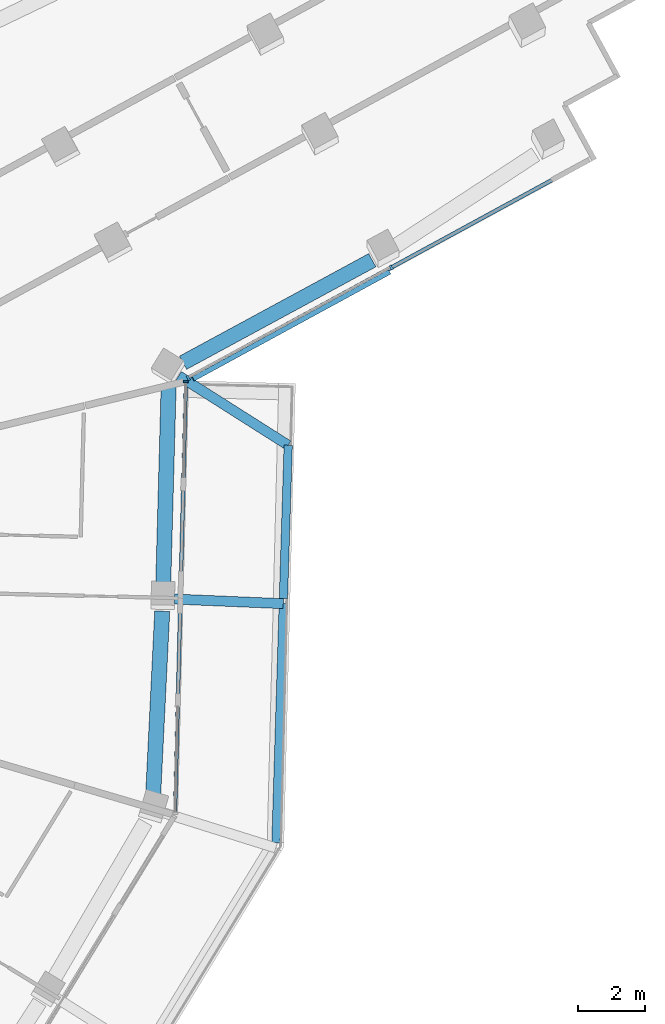
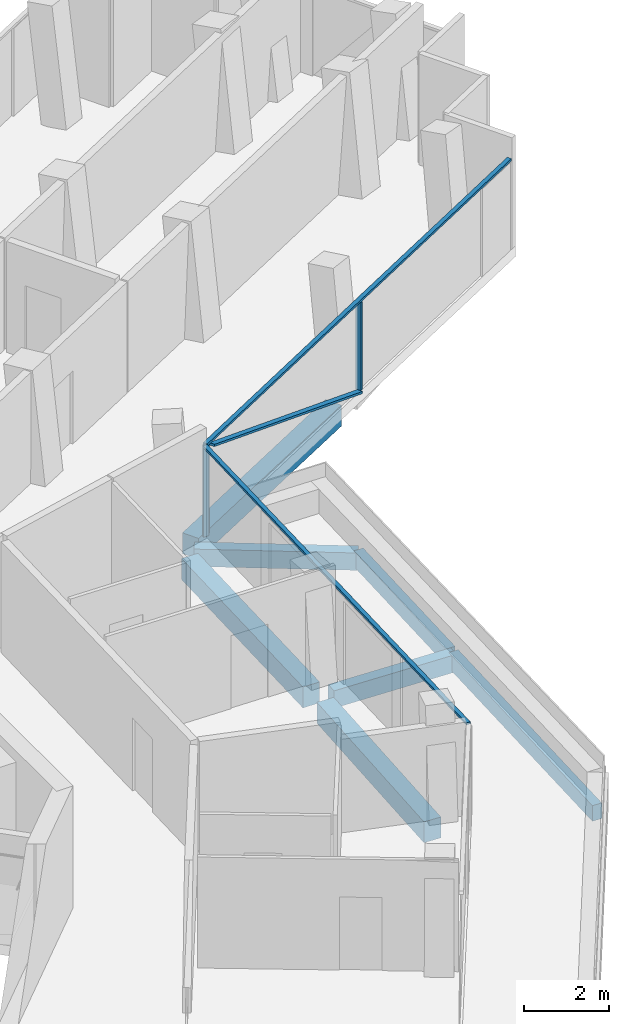
# One storey, part 7 of 24: 7 beams, 6 members, 2 elements without a shape of their own.
"""IFC4 building model written with IfcOpenShell, lengths in metres."""

import ifcopenshell
import ifcopenshell.guid

model = None  # the IFC model being written
_history = None  # IfcOwnerHistory: only IFC2X3 demands one
_inside = {}  # id of a spatial element -> (the spatial element, [elements in it])
_under = {}  # id of a project, library or spatial element -> (it, [spatial elements below it])
_declared = {}  # id of a project -> (the project, [libraries it declares])
_typed = {}  # id of a type object -> (the type object, [elements of that type])
_made_of = {}  # id of a material, layer set ... -> (it, [elements and type objects made of it])


def new_model(schema):
    """Start an empty IFC model of exactly this schema.

    Asked for "IFC4X3", IfcOpenShell would pick the latest addendum, in which some entities
    have other attributes; the version numbers below select the first issue.
    IFC2X3 requires an IfcOwnerHistory on every rooted entity: one is made here for all.
    """
    global model, _history
    if schema == "IFC4X3":
        model = ifcopenshell.file(schema_version=(4, 3, 0, 0))
    else:
        model = ifcopenshell.file(schema=schema)
    _inside.clear()
    _under.clear()
    _declared.clear()
    _typed.clear()
    _made_of.clear()
    _history = None
    if model.schema == "IFC2X3":
        org = make("IfcOrganization", Name="unknown")
        user = make(
            "IfcPersonAndOrganization",
            ThePerson=make("IfcPerson", FamilyName="unknown"),
            TheOrganization=org,
        )
        app = make(
            "IfcApplication",
            ApplicationDeveloper=org,
            Version="unknown",
            ApplicationFullName="unknown",
            ApplicationIdentifier="unknown",
        )
        _history = make(
            "IfcOwnerHistory",
            OwningUser=user,
            OwningApplication=app,
            ChangeAction="ADDED",
            CreationDate=0,
        )
    return model


def make(cls, **values):
    """One entity of the class cls with the attributes given. An attribute that is None is left unset."""
    return model.create_entity(
        cls, **{name: value for name, value in values.items() if value is not None}
    )


def rooted(cls, **values):
    """An entity with a GlobalId (a new one), such as an element, a storey or a relation."""
    return make(cls, GlobalId=ifcopenshell.guid.new(), OwnerHistory=_history, **values)


def si_unit(unit_type, name, prefix=None):
    """IfcSIUnit, for example si_unit("LENGTHUNIT", "METRE", prefix="MILLI")."""
    return make("IfcSIUnit", UnitType=unit_type, Prefix=prefix, Name=name)


def assignment(units):
    """IfcUnitAssignment: the units of a project."""
    return None if units is None else make("IfcUnitAssignment", Units=units)


def point(xyz):
    """IfcCartesianPoint."""
    return None if xyz is None else make("IfcCartesianPoint", Coordinates=xyz)


def direction(xyz):
    """IfcDirection."""
    return None if xyz is None else make("IfcDirection", DirectionRatios=xyz)


def frame(location, z_axis=None, x_axis=None):
    """IfcAxis2Placement3D, a coordinate frame: its origin and axes. An axis left out is left unset."""
    return make(
        "IfcAxis2Placement3D",
        Location=point(location),
        Axis=direction(z_axis),
        RefDirection=direction(x_axis),
    )


def frame_2d(location, x_axis=None):
    """IfcAxis2Placement2D, a coordinate frame in the plane: its origin and x axis."""
    return make(
        "IfcAxis2Placement2D", Location=point(location), RefDirection=direction(x_axis)
    )


def origin():
    """The frame at (0, 0, 0) with its axes left unset."""
    return frame((0.0, 0.0, 0.0))


def origin_2d():
    """The frame at (0, 0) in the plane with its x axis left unset."""
    return frame_2d((0.0, 0.0))


def place(relative_to, where):
    """IfcLocalPlacement: puts the frame where relative to a parent placement (None: the world)."""
    return make(
        "IfcLocalPlacement", PlacementRelTo=relative_to, RelativePlacement=where
    )


def context(
    kind, dimensions, precision=None, world=None, true_north=None, identifier=None
):
    """IfcGeometricRepresentationContext, for example the 3D "Model" context."""
    return make(
        "IfcGeometricRepresentationContext",
        ContextIdentifier=identifier,
        ContextType=kind,
        CoordinateSpaceDimension=dimensions,
        Precision=precision,
        WorldCoordinateSystem=world,
        TrueNorth=true_north,
    )


def subcontext(parent, identifier, kind, view, scale=None):
    """IfcGeometricRepresentationSubContext, for example "Body" below "Model"."""
    return make(
        "IfcGeometricRepresentationSubContext",
        ContextIdentifier=identifier,
        ContextType=kind,
        ParentContext=parent,
        TargetScale=scale,
        TargetView=view,
    )


def project(units=None, contexts=None):
    """IfcProject with its units and contexts."""
    return rooted(
        "IfcProject",
        Name="project",
        RepresentationContexts=contexts,
        UnitsInContext=assignment(units),
    )


def spatial(cls, under=None, at=None, **own):
    """A site, building, storey or space (cls), placed at a placement, below another one or the project."""
    s = rooted(cls, ObjectPlacement=at, **own)
    if under is not None:
        _under.setdefault(under.id(), (under, []))[1].append(s)
    return s


def profile(cls, at=None, kind="AREA", **sizes):
    """A parametric profile (cls). Its sizes go by their IFC names, for example OverallWidth=200.0."""
    return make(cls, ProfileType=kind, Position=at, **sizes)


def rectangle(**sizes):
    """IfcRectangleProfileDef."""
    return profile("IfcRectangleProfileDef", **sizes)


def extrude(swept, where, along, depth):
    """IfcExtrudedAreaSolid: the profile swept, set in the frame where, extruded along a direction by depth."""
    return make(
        "IfcExtrudedAreaSolid",
        SweptArea=swept,
        Position=where,
        ExtrudedDirection=direction(along),
        Depth=depth,
    )


def shape(context_of_items, identifier, shape_type, items):
    """IfcShapeRepresentation: the items that make up one representation, for example the "Body"."""
    return make(
        "IfcShapeRepresentation",
        ContextOfItems=context_of_items,
        RepresentationIdentifier=identifier,
        RepresentationType=shape_type,
        Items=items,
    )


def material(Name=None, Category=None):
    """IfcMaterial."""
    return make("IfcMaterial", Name=Name, Category=Category)


def layer(
    of_material, thickness, ventilated=None, Name=None, Category=None, Priority=None
):
    """IfcMaterialLayer: one layer of a wall or slab, of a material (None: an air gap)."""
    return make(
        "IfcMaterialLayer",
        Material=of_material,
        LayerThickness=thickness,
        IsVentilated=ventilated,
        Name=Name,
        Category=Category,
        Priority=Priority,
    )


def layer_set(layers, Name=None):
    """IfcMaterialLayerSet."""
    return make("IfcMaterialLayerSet", MaterialLayers=layers, LayerSetName=Name)


def material_profile(
    of_material, cross_section, Name=None, Category=None, Priority=None
):
    """IfcMaterialProfile: a cross section and its material."""
    return make(
        "IfcMaterialProfile",
        Name=Name,
        Material=of_material,
        Profile=cross_section,
        Priority=Priority,
        Category=Category,
    )


def profile_set(profiles, Name=None, composite=None):
    """IfcMaterialProfileSet."""
    return make(
        "IfcMaterialProfileSet",
        Name=Name,
        MaterialProfiles=profiles,
        CompositeProfile=composite,
    )


def made_of(thing, what):
    """Note that an element or type object is made of a material, layer set ...; save() writes the relation."""
    if what is not None:
        _made_of.setdefault(what.id(), (what, []))[1].append(thing)
    return thing


def type_object(cls, material=None, **own):
    """A type object (cls), such as IfcWallType, which elements share."""
    return made_of(rooted(cls, **own), material)


def element(
    cls,
    number,
    at=None,
    inside=None,
    cuts=None,
    type_object=None,
    material=None,
    context=None,
    identifier="Body",
    shape_type=None,
    held_by="IfcProductDefinitionShape",
    body=None,
    shapes=None,
    **own,
):
    """One element of the class cls, such as IfcWall. Its Tag is "e" and its number.

    at: its placement. inside: the storey or other place that contains it. cuts: it is an
    opening in that element (IfcRelVoidsElement). A single representation is given by context,
    identifier, shape_type and body (its items); several are given by shapes. held_by: the class
    of the entity that holds the representations. save() writes the other relations.
    """
    e = rooted(cls, Tag="e%d" % number, ObjectPlacement=at, **own)
    if body is not None:
        shapes = [shape(context, identifier, shape_type, body)]
    if shapes is not None:
        e.Representation = make(held_by, Representations=shapes)
    if inside is not None:
        _inside.setdefault(inside.id(), (inside, []))[1].append(e)
    if cuts is not None:
        rooted(
            "IfcRelVoidsElement", RelatingBuildingElement=cuts, RelatedOpeningElement=e
        )
    if type_object is not None:
        _typed.setdefault(type_object.id(), (type_object, []))[1].append(e)
    return made_of(e, material)


def aggregate(whole, parts):
    """IfcRelAggregates: a whole, such as a stair, and the parts it consists of."""
    return rooted("IfcRelAggregates", RelatingObject=whole, RelatedObjects=parts)


def save(model, path):
    """Write the relations noted so far, then the file.

    IfcRelAggregates (storeys below a building ...), IfcRelContainedInSpatialStructure (elements
    in a storey), IfcRelDefinesByType, IfcRelAssociatesMaterial and IfcRelDeclares: one each for
    every whole, place, type object, material and project.
    """
    for whole, parts in _under.values():
        aggregate(whole, parts)
    for where, things in _inside.values():
        rooted(
            "IfcRelContainedInSpatialStructure",
            RelatedElements=things,
            RelatingStructure=where,
        )
    for kind, things in _typed.values():
        rooted("IfcRelDefinesByType", RelatedObjects=things, RelatingType=kind)
    for what, things in _made_of.values():
        rooted("IfcRelAssociatesMaterial", RelatedObjects=things, RelatingMaterial=what)
    for by, libraries in _declared.values():
        rooted("IfcRelDeclares", RelatingContext=by, RelatedDefinitions=libraries)
    model.write(path)


model = new_model("IFC4")

# Units and contexts
model_context = context("Model", 3, precision=1e-05, world=origin(), true_north=direction((0.0, 1.0)))
body_context = subcontext(model_context, "Body", "Model", "MODEL_VIEW")
ifc_project = project(units=[si_unit("LENGTHUNIT", "METRE"), si_unit("AREAUNIT", "SQUARE_METRE"), si_unit("VOLUMEUNIT", "CUBIC_METRE"), si_unit("PLANEANGLEUNIT", "RADIAN"), si_unit("MASSUNIT", "GRAM", prefix="KILO")], contexts=[model_context])

# Site, building, storey
site_placement = place(None, origin())
site = spatial("IfcSite", under=ifc_project, at=site_placement, CompositionType="ELEMENT")
building_placement = place(site_placement, origin())
building = spatial("IfcBuilding", under=site, at=building_placement, Name="Verdalira Terraces Hotel", CompositionType="ELEMENT")
storey_placement = place(building_placement, frame((0.0, 0.0, 274.0)))
storey = spatial("IfcBuildingStorey", under=building, at=storey_placement, Name="L67", CompositionType="ELEMENT", Elevation=274.0)

# Beams
ifc_material_1 = material(Name="Concrete C40", Category="concrete")
ifc_material_profile_1 = material_profile(ifc_material_1, rectangle(XDim=0.300049, YDim=0.5, at=origin_2d()), Name="RC 300X500")
ifc_profile_set_1 = profile_set([ifc_material_profile_1], Name="Concrete C40")
beam_type_1 = type_object("IfcBeamType", Name="Balcony cantilever beam RC 300X500 C40", PredefinedType="BEAM", material=ifc_profile_set_1)
beam_1_placement = place(storey_placement, frame((23.999756, -0.633789, -0.560059), z_axis=(0.99912145, -0.041908575, 0.0), x_axis=(0.041908575, 0.99912145, 0.0)))
element("IfcBeam", 1, at=beam_1_placement, inside=storey, type_object=beam_type_1, Name="Balcony cantilever beam R26-4", PredefinedType="BEAM", context=body_context, shape_type="SweptSolid", body=[
    extrude(rectangle(XDim=0.300049, YDim=0.5, at=origin_2d()), origin(), (0.0, 0.0, 1.0), 3.250732),
])
beam_2_placement = place(storey_placement, frame((24.124756, 6.037354, -0.560059), z_axis=(0.844320097, -0.53583913, 0.0), x_axis=(0.53583913, 0.844320097, 0.0)))
element("IfcBeam", 2, at=beam_2_placement, inside=storey, type_object=beam_type_1, Name="Balcony cantilever beam R26-5", PredefinedType="BEAM", context=body_context, shape_type="SweptSolid", body=[
    extrude(rectangle(XDim=0.300049, YDim=0.5, at=origin_2d()), origin(), (0.0, 0.0, 1.0), 3.873291),
])
ifc_material_2 = material(Name="Concrete C40", Category="concrete")
ifc_material_profile_2 = material_profile(ifc_material_2, rectangle(XDim=0.25, YDim=0.449951, at=origin_2d()), Name="RC 250X450")
ifc_profile_set_2 = profile_set([ifc_material_profile_2], Name="Concrete C40")
beam_type_2 = type_object("IfcBeamType", Name="Balcony edge beam RC 250X450 C40", PredefinedType="BEAM", material=ifc_profile_set_2)
beam_3_placement = place(storey_placement, frame((27.02832, -7.912109, -0.534912), z_axis=(0.030682205, 0.99952919, 0.0), x_axis=(-0.99952919, 0.030682205, 0.0)))
element("IfcBeam", 3, at=beam_3_placement, inside=storey, type_object=beam_type_2, Name="Balcony edge beam R26-3", PredefinedType="BEAM", context=body_context, shape_type="SweptSolid", body=[
    extrude(rectangle(XDim=0.25, YDim=0.449951, at=origin_2d()), origin(), (0.0, 0.0, 1.0), 7.145508),
])
beam_4_placement = place(storey_placement, frame((27.252197, -0.619873, -0.534912), z_axis=(0.031156604, 0.999514515, 0.0), x_axis=(-0.999514515, 0.031156604, 0.0)))
element("IfcBeam", 4, at=beam_4_placement, inside=storey, type_object=beam_type_2, Name="Balcony edge beam R26-4", PredefinedType="BEAM", context=body_context, shape_type="SweptSolid", body=[
    extrude(rectangle(XDim=0.25, YDim=0.449951, at=origin_2d()), origin(), (0.0, 0.0, 1.0), 4.583984),
])

# Curtain wall, members
ifc_material_3 = material(Name="Clear glass", Category="glass")
ifc_layer_1 = layer(ifc_material_3, 0.14990234375)
ifc_layer_set_1 = layer_set([ifc_layer_1], Name="CW1 curtain wall")
curtain_wall_type_1 = type_object("IfcCurtainWallType", Name="CW1 curtain wall", PredefinedType="NOTDEFINED", material=ifc_layer_set_1)
curtain_wall_1_placement = place(storey_placement, origin())
curtain_wall_1 = element("IfcCurtainWall", 5, at=curtain_wall_1_placement, inside=storey, type_object=curtain_wall_type_1, Name="CW1 curtain wall L67 edge 27", PredefinedType="NOTDEFINED")
ifc_material_4 = material(Name="Terracotta frame", Category="masonry")
ifc_material_profile_3 = material_profile(ifc_material_4, rectangle(XDim=0.060059, YDim=0.149902, at=origin_2d()), Name="MU 60x150")
ifc_profile_set_3 = profile_set([ifc_material_profile_3], Name="Terracotta frame")
member_type_1 = type_object("IfcMemberType", Name="CW1 mullion 60x150", PredefinedType="MULLION", material=ifc_profile_set_3)
member_1_placement = place(storey_placement, frame((24.338379, 5.860107, 0.0), z_axis=(0.0, 0.0, 1.0), x_axis=(0.025130095, 0.999684189, 0.0)))
member_1 = element("IfcMember", 6, at=member_1_placement, type_object=member_type_1, Name="CW1 mullion", PredefinedType="MULLION", context=body_context, shape_type="SweptSolid", body=[
    extrude(rectangle(XDim=0.060059, YDim=0.149902, at=origin_2d()), origin(), (0.0, 0.0, 1.0), 2.524902),
])
ifc_material_5 = material(Name="Terracotta frame", Category="masonry")
ifc_material_profile_4 = material_profile(ifc_material_5, rectangle(XDim=0.110107, YDim=0.064941, at=origin_2d()), Name="TR 65x110")
ifc_profile_set_4 = profile_set([ifc_material_profile_4], Name="Terracotta frame")
member_type_2 = type_object("IfcMemberType", Name="CW1 transom 65x110", PredefinedType="USERDEFINED", material=ifc_profile_set_4)
member_2_placement = place(storey_placement, frame((24.013428, -7.06543, 2.557617), z_axis=(0.025130567, 0.999684177, 0.0), x_axis=(-0.999684177, 0.025130567, 0.0)))
member_2 = element("IfcMember", 7, at=member_2_placement, type_object=member_type_2, Name="CW1 transom", ObjectType="TRANSOM", PredefinedType="USERDEFINED", context=body_context, shape_type="SweptSolid", body=[
    extrude(rectangle(XDim=0.110107, YDim=0.064941, at=origin_2d()), origin(), (0.0, 0.0, 1.0), 12.959717),
])
aggregate(curtain_wall_1, [member_1, member_2])

ifc_material_6 = material(Name="Clear glass", Category="glass")
ifc_layer_2 = layer(ifc_material_6, 0.14990234375)
ifc_layer_set_2 = layer_set([ifc_layer_2], Name="CW2 curtain wall")
curtain_wall_type_2 = type_object("IfcCurtainWallType", Name="CW2 curtain wall", PredefinedType="NOTDEFINED", material=ifc_layer_set_2)
curtain_wall_2_placement = place(storey_placement, origin())
curtain_wall_2 = element("IfcCurtainWall", 8, at=curtain_wall_2_placement, inside=storey, type_object=curtain_wall_type_2, Name="CW2 curtain wall L67 edge 28", PredefinedType="NOTDEFINED")
ifc_material_7 = material(Name="Terracotta frame", Category="masonry")
ifc_material_profile_5 = material_profile(ifc_material_7, rectangle(XDim=0.070068, YDim=0.149902, at=origin_2d()), Name="MU 70x150")
ifc_profile_set_5 = profile_set([ifc_material_profile_5], Name="Terracotta frame")
member_type_3 = type_object("IfcMemberType", Name="CW2 mullion 70x150", PredefinedType="MULLION", material=ifc_profile_set_5)
member_3_placement = place(storey_placement, frame((24.408936, 5.970947, 0.0), z_axis=(0.0, 0.0, 1.0), x_axis=(0.878316951, 0.478078794, 0.0)))
member_3 = element("IfcMember", 9, at=member_3_placement, type_object=member_type_3, Name="CW2 mullion", PredefinedType="MULLION", context=body_context, shape_type="SweptSolid", body=[
    extrude(rectangle(XDim=0.070068, YDim=0.149902, at=origin_2d()), origin(), (0.0, 0.0, 1.0), 2.524902),
])
member_4_placement = place(storey_placement, frame((30.474854, 9.272705, 0.0), z_axis=(0.0, 0.0, 1.0), x_axis=(0.878316951, 0.478078794, 0.0)))
member_4 = element("IfcMember", 10, at=member_4_placement, type_object=member_type_3, Name="CW2 mullion", PredefinedType="MULLION", context=body_context, shape_type="SweptSolid", body=[
    extrude(rectangle(XDim=0.070068, YDim=0.149902, at=origin_2d()), origin(), (0.0, 0.0, 1.0), 2.524902),
])
ifc_material_8 = material(Name="Terracotta frame", Category="masonry")
ifc_material_profile_6 = material_profile(ifc_material_8, rectangle(XDim=0.11499, YDim=0.064941, at=origin_2d()), Name="TR 65x115")
ifc_profile_set_6 = profile_set([ifc_material_profile_6], Name="Terracotta frame")
member_type_4 = type_object("IfcMemberType", Name="CW2 transom 65x115", PredefinedType="USERDEFINED", material=ifc_profile_set_6)
member_5_placement = place(storey_placement, frame((24.378174, 5.954102, 2.557617), z_axis=(0.878311047, 0.478089642, 0.0), x_axis=(-0.478089642, 0.878311047, 0.0)))
member_5 = element("IfcMember", 11, at=member_5_placement, type_object=member_type_4, Name="CW2 transom", ObjectType="TRANSOM", PredefinedType="USERDEFINED", context=body_context, shape_type="SweptSolid", body=[
    extrude(rectangle(XDim=0.11499, YDim=0.064941, at=origin_2d()), origin(), (0.0, 0.0, 1.0), 13.732666),
])
ifc_material_9 = material(Name="Terracotta frame", Category="masonry")
ifc_material_profile_7 = material_profile(ifc_material_9, rectangle(XDim=0.149902, YDim=0.060059, at=origin_2d()), Name="GB 60x150")
ifc_profile_set_7 = profile_set([ifc_material_profile_7], Name="Terracotta frame")
member_type_5 = type_object("IfcMemberType", Name="Diagonal glazing bar 60x150", PredefinedType="USERDEFINED", material=ifc_profile_set_7)
member_6_placement = place(storey_placement, frame((24.551758, 5.945068, 2.496094), z_axis=(0.823912458, 0.448468661, -0.346473839), x_axis=(-0.478081184, 0.87831565, 0.0)))
member_6 = element("IfcMember", 12, at=member_6_placement, type_object=member_type_5, Name="Diagonal glazing bar", ObjectType="GLAZING BAR", PredefinedType="USERDEFINED", context=body_context, shape_type="SweptSolid", body=[
    extrude(rectangle(XDim=0.149902, YDim=0.060059, at=origin_2d()), origin(), (0.0, 0.0, 1.0), 7.121094),
])
aggregate(curtain_wall_2, [member_3, member_4, member_5, member_6])

# Beams
ifc_material_10 = material(Name="Concrete C40", Category="concrete")
ifc_material_profile_8 = material_profile(ifc_material_10, rectangle(XDim=0.449951, YDim=0.600098, at=origin_2d()), Name="RC 450X600")
ifc_profile_set_8 = profile_set([ifc_material_profile_8], Name="Concrete C40")
beam_type_3 = type_object("IfcBeamType", Name="Spandrel beam RC 450X600 C40", PredefinedType="SPANDREL", material=ifc_profile_set_8)
beam_5_placement = place(storey_placement, frame((23.359131, -6.512207, -0.610107), z_axis=(0.04936888, 0.998780613, 0.0), x_axis=(-0.998780613, 0.04936888, 0.0)))
element("IfcBeam", 13, at=beam_5_placement, inside=storey, type_object=beam_type_3, Name="Spandrel beam B17", PredefinedType="SPANDREL", context=body_context, shape_type="SweptSolid", body=[
    extrude(rectangle(XDim=0.449951, YDim=0.600098, at=origin_2d()), origin(), (0.0, 0.0, 1.0), 5.523926),
])
beam_6_placement = place(storey_placement, frame((23.658936, -0.287842, -0.610107), z_axis=(0.027170723, 0.999630808, 0.0), x_axis=(-0.999630808, 0.027170723, 0.0)))
element("IfcBeam", 14, at=beam_6_placement, inside=storey, type_object=beam_type_3, Name="Spandrel beam B18", PredefinedType="SPANDREL", context=body_context, shape_type="SweptSolid", body=[
    extrude(rectangle(XDim=0.449951, YDim=0.600098, at=origin_2d()), origin(), (0.0, 0.0, 1.0), 6.01123),
])
beam_7_placement = place(storey_placement, frame((24.253906, 6.427734, -0.610107), z_axis=(0.879266125, 0.476330852, 0.0), x_axis=(-0.476330852, 0.879266125, 0.0)))
element("IfcBeam", 15, at=beam_7_placement, inside=storey, type_object=beam_type_3, Name="Spandrel beam B19", PredefinedType="SPANDREL", context=body_context, shape_type="SweptSolid", body=[
    extrude(rectangle(XDim=0.449951, YDim=0.600098, at=origin_2d()), origin(), (0.0, 0.0, 1.0), 6.429932),
])

save(model, "model.ifc")
